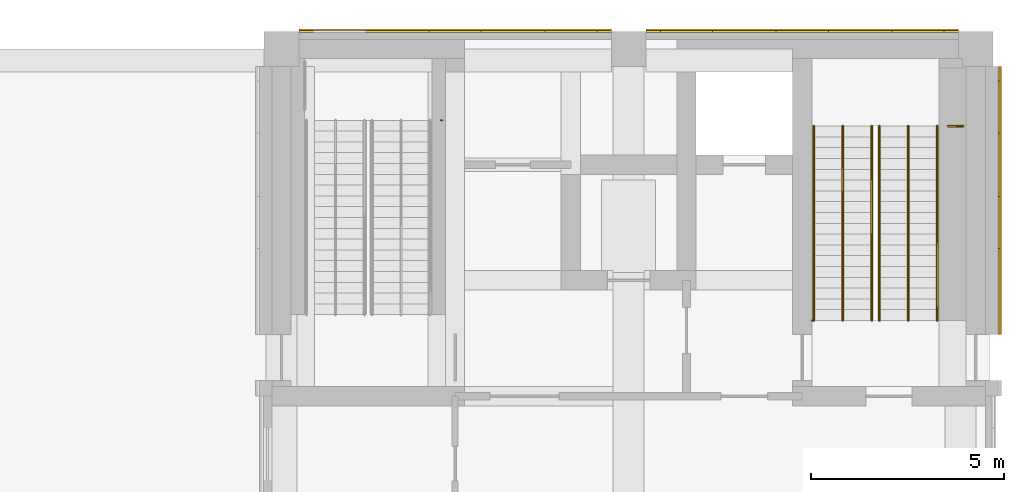
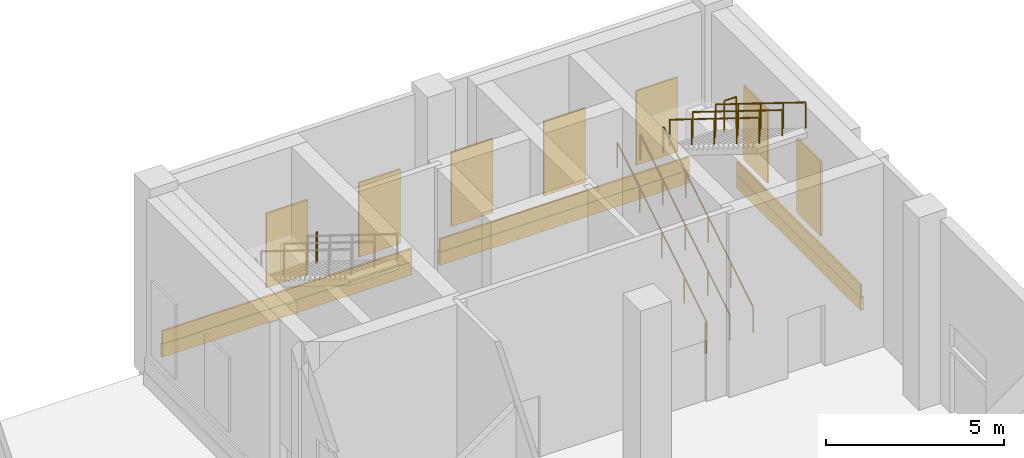
# One storey, part 31 of 35: 13 coverings, 9 railings.
"""IFC4 building model written with IfcOpenShell, lengths in metres."""

from ifc_helpers import new_model, si_unit, direction, frame, origin, origin_2d, place, context, subcontext, project, spatial, rectangle, circle, extrude, material, layer, layer_set, type_object, element, save


model = new_model("IFC4")

# Units and contexts
model_context = context("Model", 3, precision=1e-05, world=origin(), true_north=direction((0.0, 1.0)))
body_context = subcontext(model_context, "Body", "Model", "MODEL_VIEW")
ifc_project = project(units=[si_unit("LENGTHUNIT", "METRE"), si_unit("AREAUNIT", "SQUARE_METRE"), si_unit("VOLUMEUNIT", "CUBIC_METRE"), si_unit("PLANEANGLEUNIT", "RADIAN"), si_unit("MASSUNIT", "GRAM", prefix="KILO")], contexts=[model_context])

# Site, building, storey
site_placement = place(None, origin())
site = spatial("IfcSite", under=ifc_project, at=site_placement, CompositionType="ELEMENT")
building_placement = place(site_placement, origin())
building = spatial("IfcBuilding", under=site, at=building_placement, Name="Aurelan Courthouse", CompositionType="ELEMENT")
storey_placement = place(building_placement, origin())
storey = spatial("IfcBuildingStorey", under=building, at=storey_placement, Name="L00", CompositionType="ELEMENT", Elevation=0.0)

# Coverings
ifc_material_1 = material(Name="Bronze sheet cladding")
ifc_layer = layer(ifc_material_1, 0.06005859375)
ifc_layer_set = layer_set([ifc_layer], Name="Bronze sheet cladding")
covering_type_1 = type_object("IfcCoveringType", Name="Law Library blind bay 1350 x 2550", PredefinedType="CLADDING", material=ifc_layer_set)
for number, where, z_axis, x_axis, name in (
    (1, (76.5, 66.449951171875, 1.2001953125), (0.0, 0.0, 1.0), (1.0, 0.0, 0.0), "Blind bay BB-V3-L00-004"),
    (2, (79.5, 66.449951171875, 1.2001953125), (0.0, 0.0, 1.0), (1.0, 0.0, 0.0), "Blind bay BB-V3-L00-005"),
    (3, (82.5, 66.449951171875, 1.2001953125), (0.0, 0.0, 1.0), (1.0, 0.0, 0.0), "Blind bay BB-V3-L00-006"),
    (4, (85.5, 66.449951171875, 1.2001953125), (0.0, 0.0, 1.0), (1.0, 0.0, 0.0), "Blind bay BB-V3-L00-007"),
    (5, (88.5, 66.449951171875, 1.2001953125), (0.0, 0.0, 1.0), (1.0, 0.0, 0.0), "Blind bay BB-V3-L00-008"),
):
    element("IfcCovering", number, at=place(storey_placement, frame(where, z_axis=z_axis, x_axis=x_axis)), inside=storey, type_object=covering_type_1, Name=name, PredefinedType="CLADDING", context=body_context, shape_type="SweptSolid", body=[
        extrude(rectangle(XDim=1.35009765625, YDim=0.06005859375, at=origin_2d()), origin(), (0.0, 0.0, 1.0), 2.550048828125),
    ])
for number, where, z_axis, x_axis, name in (
    (6, (90.60009765625, 61.5, 1.2001953125), (0.0, 0.0, 1.0), (1.0, 0.0, 0.0), "Blind bay BB-V3-L00-011"),
    (7, (90.60009765625, 64.5, 1.2001953125), (0.0, 0.0, 1.0), (1.0, 0.0, 0.0), "Blind bay BB-V3-L00-012"),
):
    element("IfcCovering", number, at=place(storey_placement, frame(where, z_axis=z_axis, x_axis=x_axis)), inside=storey, type_object=covering_type_1, Name=name, PredefinedType="CLADDING", context=body_context, shape_type="SweptSolid", body=[
        extrude(rectangle(XDim=0.06005859375, YDim=1.35009765625, at=origin_2d()), origin(), (0.0, 0.0, 1.0), 2.550048828125),
    ])
ifc_material_2 = material(Name="Granite cladding", Category="masonry")
covering_type_2 = type_object("IfcCoveringType", Name="Law Library rusticated plinth course 450 x 100", PredefinedType="CLADDING", material=ifc_material_2)
covering_1_placement = place(storey_placement, frame((90.6201171875, 62.074951171875, 0.0), z_axis=(0.0, 0.0, 1.0), x_axis=(1.0, 0.0, 0.0)))
element("IfcCovering", 8, at=covering_1_placement, inside=storey, type_object=covering_type_2, Name="Plinth course PLC-V3-023", PredefinedType="CLADDING", context=body_context, shape_type="SweptSolid", body=[
    extrude(rectangle(XDim=0.10009765625, YDim=6.949951171875, at=origin_2d()), origin(), (0.0, 0.0, 1.0), 0.449951171875),
])
covering_2_placement = place(storey_placement, frame((90.60009765625, 62.074951171875, 0.4501953125), z_axis=(0.0, 0.0, 1.0), x_axis=(1.0, 0.0, 0.0)))
element("IfcCovering", 9, at=covering_2_placement, inside=storey, type_object=covering_type_2, Name="Plinth course PLC-V3-024", PredefinedType="CLADDING", context=body_context, shape_type="SweptSolid", body=[
    extrude(rectangle(XDim=0.06005859375, YDim=6.949951171875, at=origin_2d()), origin(), (0.0, 0.0, 1.0), 0.449951171875),
])
covering_3_placement = place(storey_placement, frame((76.5, 66.469970703125, 0.0), z_axis=(0.0, 0.0, 1.0), x_axis=(1.0, 0.0, 0.0)))
element("IfcCovering", 10, at=covering_3_placement, inside=storey, type_object=covering_type_2, Name="Plinth course PLC-V3-025", PredefinedType="CLADDING", context=body_context, shape_type="SweptSolid", body=[
    extrude(rectangle(XDim=8.10009765625, YDim=0.10009765625, at=origin_2d()), origin(), (0.0, 0.0, 1.0), 0.449951171875),
])
covering_4_placement = place(storey_placement, frame((76.5, 66.449951171875, 0.4501953125), z_axis=(0.0, 0.0, 1.0), x_axis=(1.0, 0.0, 0.0)))
element("IfcCovering", 11, at=covering_4_placement, inside=storey, type_object=covering_type_2, Name="Plinth course PLC-V3-026", PredefinedType="CLADDING", context=body_context, shape_type="SweptSolid", body=[
    extrude(rectangle(XDim=8.10009765625, YDim=0.06005859375, at=origin_2d()), origin(), (0.0, 0.0, 1.0), 0.449951171875),
])
covering_5_placement = place(storey_placement, frame((85.5, 66.469970703125, 0.0), z_axis=(0.0, 0.0, 1.0), x_axis=(1.0, 0.0, 0.0)))
element("IfcCovering", 12, at=covering_5_placement, inside=storey, type_object=covering_type_2, Name="Plinth course PLC-V3-027", PredefinedType="CLADDING", context=body_context, shape_type="SweptSolid", body=[
    extrude(rectangle(XDim=8.10009765625, YDim=0.10009765625, at=origin_2d()), origin(), (0.0, 0.0, 1.0), 0.449951171875),
])
covering_6_placement = place(storey_placement, frame((85.5, 66.449951171875, 0.4501953125), z_axis=(0.0, 0.0, 1.0), x_axis=(1.0, 0.0, 0.0)))
element("IfcCovering", 13, at=covering_6_placement, inside=storey, type_object=covering_type_2, Name="Plinth course PLC-V3-028", PredefinedType="CLADDING", context=body_context, shape_type="SweptSolid", body=[
    extrude(rectangle(XDim=8.10009765625, YDim=0.06005859375, at=origin_2d()), origin(), (0.0, 0.0, 1.0), 0.449951171875),
])

# Railings
ifc_material_3 = material(Name="Steel S355", Category="steel")
railing_type_1 = type_object("IfcRailingType", Name="Stair guard 1100", PredefinedType="GUARDRAIL", material=ifc_material_3)
railing_1_placement = place(storey_placement, frame((76.169921875, 64.14990234375, 3.300048828125)))
element("IfcRailing", 14, at=railing_1_placement, inside=storey, type_object=railing_type_1, Name="Guard ST-3A-L00-GL2", PredefinedType="GUARDRAIL", context=body_context, shape_type="SweptSolid", body=[
    extrude(circle(Radius=0.02392578125, at=origin_2d()), frame((0.0, 0.0, 1.076171875), z_axis=(-1.0, 0.0, 0.0), x_axis=(0.0, -1.0, 0.0)), (0.0, 0.0, 1.0), 0.0400390625),
    extrude(circle(Radius=0.02099609375, at=origin_2d()), origin(), (0.0, 0.0, 1.0), 1.052001953125),
    extrude(circle(Radius=0.02099609375, at=origin_2d()), frame((-0.0400390625, 0.0, 0.0)), (0.0, 0.0, 1.0), 1.052001953125),
])
railing_2_placement = place(storey_placement, frame((85.800048828125, 58.9599609375, 0.0)))
element("IfcRailing", 15, at=railing_2_placement, inside=storey, type_object=railing_type_1, Name="Guard ST-3B-L00-H1-C", PredefinedType="GUARDRAIL", context=body_context, shape_type="SweptSolid", body=[
    extrude(circle(Radius=0.02392578125, at=origin_2d()), frame((0.0, 0.0, 1.076171875), z_axis=(-1.0, 0.0, 0.0), x_axis=(0.0, -1.0, 0.0)), (0.0, 0.0, 1.0), 0.050048828125),
    extrude(circle(Radius=0.02099609375, at=origin_2d()), origin(), (0.0, 0.0, 1.0), 1.052001953125),
    extrude(circle(Radius=0.02099609375, at=origin_2d()), frame((-0.050048828125, 0.0, 0.0)), (0.0, 0.0, 1.0), 1.052001953125),
])
railing_3_placement = place(storey_placement, frame((89.669921875, 64.0, 3.300048828125)))
element("IfcRailing", 16, at=railing_3_placement, inside=storey, type_object=railing_type_1, Name="Guard ST-3B-L00-GL1", PredefinedType="GUARDRAIL", context=body_context, shape_type="SweptSolid", body=[
    extrude(circle(Radius=0.02392578125, at=origin_2d()), frame((0.0, 0.0, 1.076171875), z_axis=(-1.0, 0.0, 0.0), x_axis=(0.0, -1.0, 0.0)), (0.0, 0.0, 1.0), 0.389892578125),
    extrude(circle(Radius=0.02099609375, at=origin_2d()), origin(), (0.0, 0.0, 1.0), 1.052001953125),
    extrude(circle(Radius=0.02099609375, at=origin_2d()), frame((-0.389892578125, 0.0, 0.0)), (0.0, 0.0, 1.0), 1.052001953125),
])
railing_type_2 = type_object("IfcRailingType", Name="Stair handrail 900", PredefinedType="HANDRAIL", material=ifc_material_3)
for number, where, name in (
    (17, (85.800048828125, 58.9599609375, 0.173583984375), "Handrail ST-3B-L00-H1"),
    (18, (87.300048828125, 58.9599609375, 0.173583984375), "Handrail ST-3B-L00-H2"),
    (19, (86.550048828125, 58.9599609375, 0.173583984375), "Handrail ST-3B-L00-H3"),
):
    element("IfcRailing", number, at=place(storey_placement, frame(where)), inside=storey, type_object=railing_type_2, Name=name, PredefinedType="HANDRAIL", context=body_context, shape_type="SweptSolid", body=[
        extrude(circle(Radius=0.02392578125, at=origin_2d()), frame((0.0, 0.0, 0.8759765625), z_axis=(0.0, 0.849778785312, 0.527139465448), x_axis=(-1.0, 0.0, 0.0)), (0.0, 0.0, 1.0), 5.930908203125),
        extrude(circle(Radius=0.02099609375, at=origin_2d()), origin(), (0.0, 0.0, 1.0), 0.851806640625),
        extrude(circle(Radius=0.02099609375, at=origin_2d()), frame((0.0, 1.260009765625, 0.78173828125)), (0.0, 0.0, 1.0), 0.851806640625),
        extrude(circle(Radius=0.02099609375, at=origin_2d()), frame((0.0, 2.52001953125, 1.563232421875)), (0.0, 0.0, 1.0), 0.851806640625),
        extrude(circle(Radius=0.02099609375, at=origin_2d()), frame((0.0, 3.780029296875, 2.3447265625)), (0.0, 0.0, 1.0), 0.851806640625),
        extrude(circle(Radius=0.02099609375, at=origin_2d()), frame((0.0, 5.0400390625, 3.12646484375)), (0.0, 0.0, 1.0), 0.851806640625),
    ])
for number, where, name in (
    (20, (87.5, 64.0, 3.4736328125), "Handrail ST-3B-L00-H4"),
    (21, (89.0, 64.0, 3.4736328125), "Handrail ST-3B-L00-H5"),
    (22, (88.25, 64.0, 3.4736328125), "Handrail ST-3B-L00-H6"),
):
    element("IfcRailing", number, at=place(storey_placement, frame(where)), inside=storey, type_object=railing_type_2, Name=name, PredefinedType="HANDRAIL", context=body_context, shape_type="SweptSolid", body=[
        extrude(circle(Radius=0.02392578125, at=origin_2d()), frame((0.0, 0.0, 0.8759765625), z_axis=(0.0, -0.849778785312, 0.527139465448), x_axis=(1.0, 0.0, 0.0)), (0.0, 0.0, 1.0), 5.930908203125),
        extrude(circle(Radius=0.02099609375, at=origin_2d()), origin(), (0.0, 0.0, 1.0), 0.851806640625),
        extrude(circle(Radius=0.02099609375, at=origin_2d()), frame((0.0, -1.260009765625, 0.78173828125)), (0.0, 0.0, 1.0), 0.851806640625),
        extrude(circle(Radius=0.02099609375, at=origin_2d()), frame((0.0, -2.52001953125, 1.563232421875)), (0.0, 0.0, 1.0), 0.851806640625),
        extrude(circle(Radius=0.02099609375, at=origin_2d()), frame((0.0, -3.780029296875, 2.3447265625)), (0.0, 0.0, 1.0), 0.851806640625),
        extrude(circle(Radius=0.02099609375, at=origin_2d()), frame((0.0, -5.0400390625, 3.12646484375)), (0.0, 0.0, 1.0), 0.851806640625),
    ])

save(model, "model.ifc")
